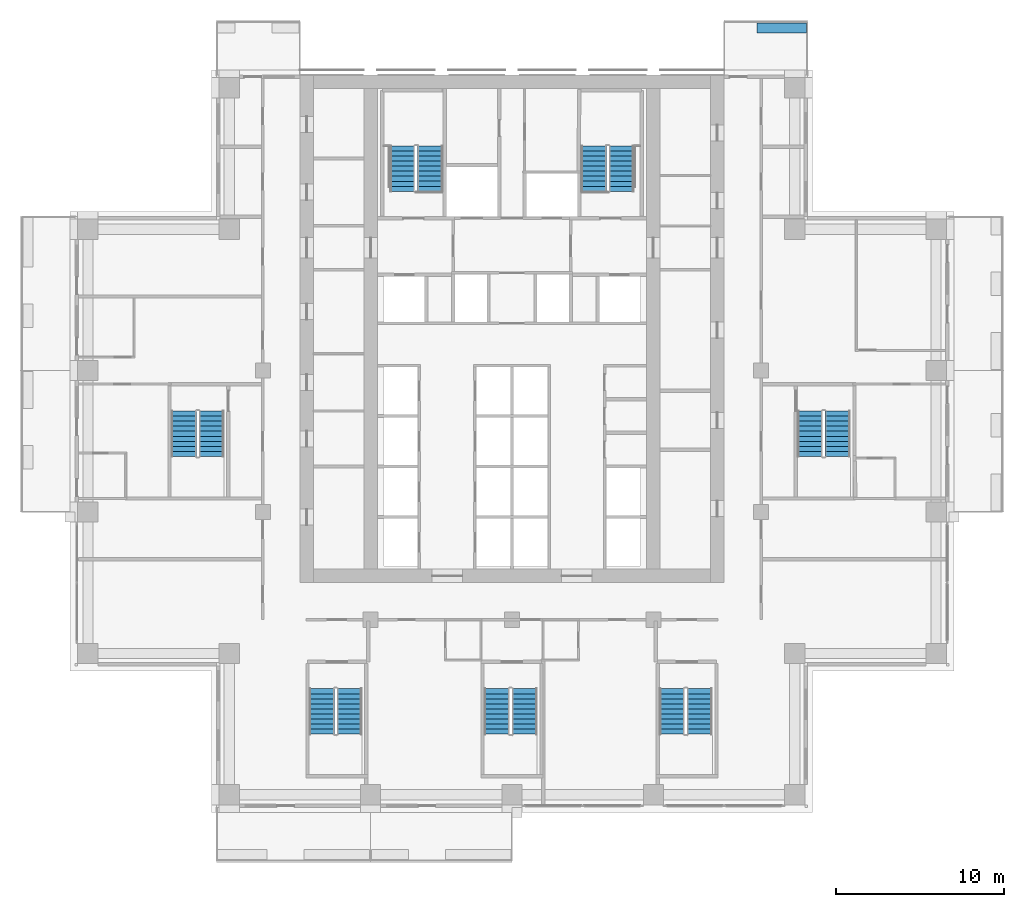
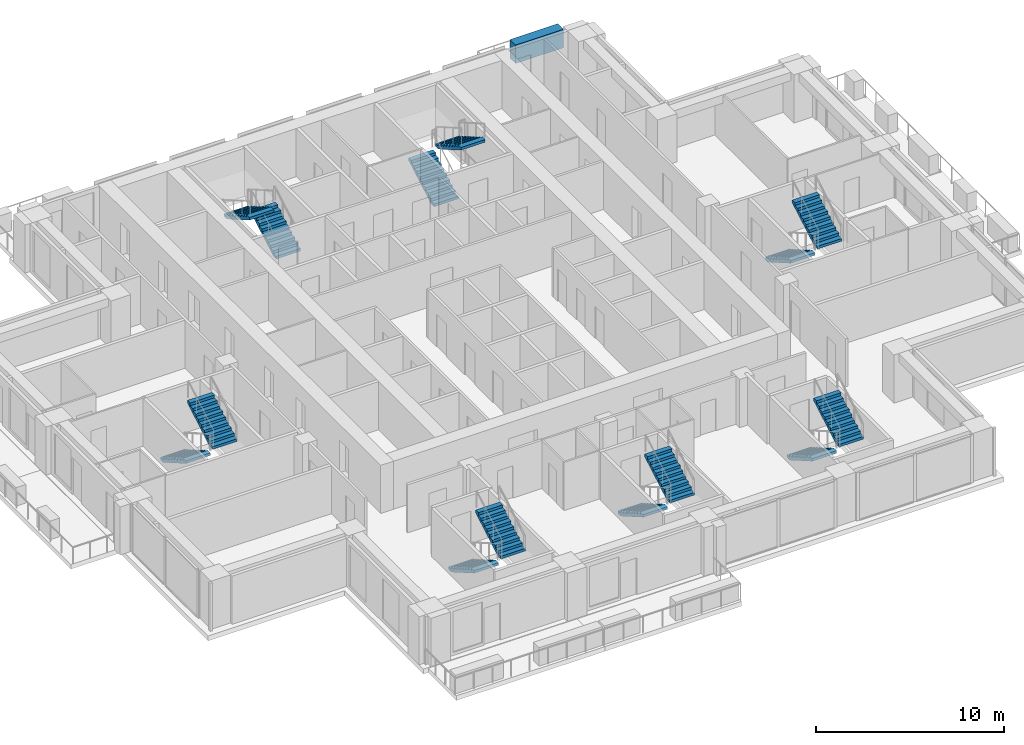
# One storey, part 12 of 16: 14 stair flights, 1 wall, 7 elements without a shape of their own.
"""IFC4 building model written with IfcOpenShell, lengths in metres."""

import ifcopenshell
import ifcopenshell.guid

model = None  # the IFC model being written
_history = None  # IfcOwnerHistory: only IFC2X3 demands one
_inside = {}  # id of a spatial element -> (the spatial element, [elements in it])
_under = {}  # id of a project, library or spatial element -> (it, [spatial elements below it])
_declared = {}  # id of a project -> (the project, [libraries it declares])
_typed = {}  # id of a type object -> (the type object, [elements of that type])
_made_of = {}  # id of a material, layer set ... -> (it, [elements and type objects made of it])


def new_model(schema):
    """Start an empty IFC model of exactly this schema.

    Asked for "IFC4X3", IfcOpenShell would pick the latest addendum, in which some entities
    have other attributes; the version numbers below select the first issue.
    IFC2X3 requires an IfcOwnerHistory on every rooted entity: one is made here for all.
    """
    global model, _history
    if schema == "IFC4X3":
        model = ifcopenshell.file(schema_version=(4, 3, 0, 0))
    else:
        model = ifcopenshell.file(schema=schema)
    _inside.clear()
    _under.clear()
    _declared.clear()
    _typed.clear()
    _made_of.clear()
    _history = None
    if model.schema == "IFC2X3":
        org = make("IfcOrganization", Name="unknown")
        user = make(
            "IfcPersonAndOrganization",
            ThePerson=make("IfcPerson", FamilyName="unknown"),
            TheOrganization=org,
        )
        app = make(
            "IfcApplication",
            ApplicationDeveloper=org,
            Version="unknown",
            ApplicationFullName="unknown",
            ApplicationIdentifier="unknown",
        )
        _history = make(
            "IfcOwnerHistory",
            OwningUser=user,
            OwningApplication=app,
            ChangeAction="ADDED",
            CreationDate=0,
        )
    return model


def make(cls, **values):
    """One entity of the class cls with the attributes given. An attribute that is None is left unset."""
    return model.create_entity(
        cls, **{name: value for name, value in values.items() if value is not None}
    )


def rooted(cls, **values):
    """An entity with a GlobalId (a new one), such as an element, a storey or a relation."""
    return make(cls, GlobalId=ifcopenshell.guid.new(), OwnerHistory=_history, **values)


def si_unit(unit_type, name, prefix=None):
    """IfcSIUnit, for example si_unit("LENGTHUNIT", "METRE", prefix="MILLI")."""
    return make("IfcSIUnit", UnitType=unit_type, Prefix=prefix, Name=name)


def assignment(units):
    """IfcUnitAssignment: the units of a project."""
    return None if units is None else make("IfcUnitAssignment", Units=units)


def point(xyz):
    """IfcCartesianPoint."""
    return None if xyz is None else make("IfcCartesianPoint", Coordinates=xyz)


def direction(xyz):
    """IfcDirection."""
    return None if xyz is None else make("IfcDirection", DirectionRatios=xyz)


def frame(location, z_axis=None, x_axis=None):
    """IfcAxis2Placement3D, a coordinate frame: its origin and axes. An axis left out is left unset."""
    return make(
        "IfcAxis2Placement3D",
        Location=point(location),
        Axis=direction(z_axis),
        RefDirection=direction(x_axis),
    )


def frame_2d(location, x_axis=None):
    """IfcAxis2Placement2D, a coordinate frame in the plane: its origin and x axis."""
    return make(
        "IfcAxis2Placement2D", Location=point(location), RefDirection=direction(x_axis)
    )


def origin():
    """The frame at (0, 0, 0) with its axes left unset."""
    return frame((0.0, 0.0, 0.0))


def place(relative_to, where):
    """IfcLocalPlacement: puts the frame where relative to a parent placement (None: the world)."""
    return make(
        "IfcLocalPlacement", PlacementRelTo=relative_to, RelativePlacement=where
    )


def context(
    kind, dimensions, precision=None, world=None, true_north=None, identifier=None
):
    """IfcGeometricRepresentationContext, for example the 3D "Model" context."""
    return make(
        "IfcGeometricRepresentationContext",
        ContextIdentifier=identifier,
        ContextType=kind,
        CoordinateSpaceDimension=dimensions,
        Precision=precision,
        WorldCoordinateSystem=world,
        TrueNorth=true_north,
    )


def subcontext(parent, identifier, kind, view, scale=None):
    """IfcGeometricRepresentationSubContext, for example "Body" below "Model"."""
    return make(
        "IfcGeometricRepresentationSubContext",
        ContextIdentifier=identifier,
        ContextType=kind,
        ParentContext=parent,
        TargetScale=scale,
        TargetView=view,
    )


def project(units=None, contexts=None):
    """IfcProject with its units and contexts."""
    return rooted(
        "IfcProject",
        Name="project",
        RepresentationContexts=contexts,
        UnitsInContext=assignment(units),
    )


def spatial(cls, under=None, at=None, **own):
    """A site, building, storey or space (cls), placed at a placement, below another one or the project."""
    s = rooted(cls, ObjectPlacement=at, **own)
    if under is not None:
        _under.setdefault(under.id(), (under, []))[1].append(s)
    return s


def polyline(points):
    """IfcPolyline through the points."""
    return make("IfcPolyline", Points=[point(p) for p in points])


def profile(cls, at=None, kind="AREA", **sizes):
    """A parametric profile (cls). Its sizes go by their IFC names, for example OverallWidth=200.0."""
    return make(cls, ProfileType=kind, Position=at, **sizes)


def rectangle(**sizes):
    """IfcRectangleProfileDef."""
    return profile("IfcRectangleProfileDef", **sizes)


def outline(outer, holes=None, kind="AREA"):
    """IfcArbitraryClosedProfileDef: a profile drawn as a closed curve; with holes, ...WithVoids."""
    if holes is None:
        return make("IfcArbitraryClosedProfileDef", ProfileType=kind, OuterCurve=outer)
    return make(
        "IfcArbitraryProfileDefWithVoids",
        ProfileType=kind,
        OuterCurve=outer,
        InnerCurves=holes,
    )


def extrude(swept, where, along, depth):
    """IfcExtrudedAreaSolid: the profile swept, set in the frame where, extruded along a direction by depth."""
    return make(
        "IfcExtrudedAreaSolid",
        SweptArea=swept,
        Position=where,
        ExtrudedDirection=direction(along),
        Depth=depth,
    )


def shape(context_of_items, identifier, shape_type, items):
    """IfcShapeRepresentation: the items that make up one representation, for example the "Body"."""
    return make(
        "IfcShapeRepresentation",
        ContextOfItems=context_of_items,
        RepresentationIdentifier=identifier,
        RepresentationType=shape_type,
        Items=items,
    )


def material(Name=None, Category=None):
    """IfcMaterial."""
    return make("IfcMaterial", Name=Name, Category=Category)


def layer(
    of_material, thickness, ventilated=None, Name=None, Category=None, Priority=None
):
    """IfcMaterialLayer: one layer of a wall or slab, of a material (None: an air gap)."""
    return make(
        "IfcMaterialLayer",
        Material=of_material,
        LayerThickness=thickness,
        IsVentilated=ventilated,
        Name=Name,
        Category=Category,
        Priority=Priority,
    )


def layer_set(layers, Name=None):
    """IfcMaterialLayerSet."""
    return make("IfcMaterialLayerSet", MaterialLayers=layers, LayerSetName=Name)


def made_of(thing, what):
    """Note that an element or type object is made of a material, layer set ...; save() writes the relation."""
    if what is not None:
        _made_of.setdefault(what.id(), (what, []))[1].append(thing)
    return thing


def type_object(cls, material=None, **own):
    """A type object (cls), such as IfcWallType, which elements share."""
    return made_of(rooted(cls, **own), material)


def element(
    cls,
    number,
    at=None,
    inside=None,
    cuts=None,
    type_object=None,
    material=None,
    context=None,
    identifier="Body",
    shape_type=None,
    held_by="IfcProductDefinitionShape",
    body=None,
    shapes=None,
    **own,
):
    """One element of the class cls, such as IfcWall. Its Tag is "e" and its number.

    at: its placement. inside: the storey or other place that contains it. cuts: it is an
    opening in that element (IfcRelVoidsElement). A single representation is given by context,
    identifier, shape_type and body (its items); several are given by shapes. held_by: the class
    of the entity that holds the representations. save() writes the other relations.
    """
    e = rooted(cls, Tag="e%d" % number, ObjectPlacement=at, **own)
    if body is not None:
        shapes = [shape(context, identifier, shape_type, body)]
    if shapes is not None:
        e.Representation = make(held_by, Representations=shapes)
    if inside is not None:
        _inside.setdefault(inside.id(), (inside, []))[1].append(e)
    if cuts is not None:
        rooted(
            "IfcRelVoidsElement", RelatingBuildingElement=cuts, RelatedOpeningElement=e
        )
    if type_object is not None:
        _typed.setdefault(type_object.id(), (type_object, []))[1].append(e)
    return made_of(e, material)


def aggregate(whole, parts):
    """IfcRelAggregates: a whole, such as a stair, and the parts it consists of."""
    return rooted("IfcRelAggregates", RelatingObject=whole, RelatedObjects=parts)


def save(model, path):
    """Write the relations noted so far, then the file.

    IfcRelAggregates (storeys below a building ...), IfcRelContainedInSpatialStructure (elements
    in a storey), IfcRelDefinesByType, IfcRelAssociatesMaterial and IfcRelDeclares: one each for
    every whole, place, type object, material and project.
    """
    for whole, parts in _under.values():
        aggregate(whole, parts)
    for where, things in _inside.values():
        rooted(
            "IfcRelContainedInSpatialStructure",
            RelatedElements=things,
            RelatingStructure=where,
        )
    for kind, things in _typed.values():
        rooted("IfcRelDefinesByType", RelatedObjects=things, RelatingType=kind)
    for what, things in _made_of.values():
        rooted("IfcRelAssociatesMaterial", RelatedObjects=things, RelatingMaterial=what)
    for by, libraries in _declared.values():
        rooted("IfcRelDeclares", RelatingContext=by, RelatedDefinitions=libraries)
    model.write(path)


model = new_model("IFC4")

# Units and contexts
model_context = context("Model", 3, precision=1e-05, world=origin(), true_north=direction((0.0, 1.0)))
body_context = subcontext(model_context, "Body", "Model", "MODEL_VIEW")
ifc_project = project(units=[si_unit("LENGTHUNIT", "METRE"), si_unit("AREAUNIT", "SQUARE_METRE"), si_unit("VOLUMEUNIT", "CUBIC_METRE"), si_unit("PLANEANGLEUNIT", "RADIAN"), si_unit("MASSUNIT", "GRAM", prefix="KILO")], contexts=[model_context])

# Site, building, storey
site_placement = place(None, origin())
site = spatial("IfcSite", under=ifc_project, at=site_placement, CompositionType="ELEMENT")
building_placement = place(site_placement, origin())
building = spatial("IfcBuilding", under=site, at=building_placement, Name="Vermilion Ogive Tower", CompositionType="ELEMENT")
storey_placement = place(building_placement, frame((0.0, 0.0, 101.10009765625)))
storey = spatial("IfcBuildingStorey", under=building, at=storey_placement, Name="L25", CompositionType="ELEMENT", Elevation=101.10009765625)

# Wall
ifc_material_1 = material(Name="Concrete B40", Category="concrete")
ifc_layer = layer(ifc_material_1, 0.60009765625)
ifc_layer_set = layer_set([ifc_layer], Name="Structural planter")
wall_type = type_object("IfcWallType", Name="Structural planter", PredefinedType="USERDEFINED", material=ifc_layer_set)
wall_placement = place(storey_placement, frame((17.489990234375, 24.550048828125, -0.0400390625), z_axis=(0.0, 0.0, 1.0), x_axis=(-1.0, 0.0, 0.0)))
element("IfcWall", 1, at=wall_placement, inside=storey, type_object=wall_type, Name="Planter N101A1", ObjectType="PLANTER", PredefinedType="USERDEFINED", context=body_context, shape_type="SweptSolid", body=[
    extrude(rectangle(XDim=2.93994140625, YDim=0.60009765625, at=frame_2d((1.469970703125, 0.0))), origin(), (0.0, 0.0, 1.0), 1.199951171875),
])

# Stair, stair flights
ifc_material_2 = material(Name="Concrete B40", Category="concrete")
stair_type = type_object("IfcStairType", Name="Exit stair 1500", PredefinedType="HALF_TURN_STAIR", material=ifc_material_2)
stair_1_placement = place(storey_placement, origin())
stair_1 = element("IfcStair", 2, at=stair_1_placement, inside=storey, type_object=stair_type, Name="L25 Exit Stair ST1", PredefinedType="HALF_TURN_STAIR")
ifc_material_3 = material(Name="Concrete B40", Category="concrete")
stair_flight_type = type_object("IfcStairFlightType", Name="Stair flight 1500", PredefinedType="STRAIGHT", material=ifc_material_3)
stair_flight_1_placement = place(storey_placement, frame((-4.85009765625, 14.85009765625, 0.0), z_axis=(0.0, 0.0, 1.0), x_axis=(0.0, 1.0, 0.0)))
stair_flight_1 = element("IfcStairFlight", 3, at=stair_flight_1_placement, type_object=stair_flight_type, Name="ST1 flight 1", NumberOfRisers=10, NumberOfTreads=9, PredefinedType="STRAIGHT", RiserHeight=0.1725, TreadLength=0.3, context=body_context, shape_type="SweptSolid", body=[
    extrude(outline(polyline([(0.0, 0.0), (0.0, 0.172607421875), (0.300048828125, 0.172607421875), (0.300048828125, 0.344970703125), (0.60009765625, 0.344970703125), (0.60009765625, 0.517578125), (0.89990234375, 0.517578125), (0.89990234375, 0.68994140625), (1.199951171875, 0.68994140625), (1.199951171875, 0.862548828125), (1.5, 0.862548828125), (1.5, 1.034912109375), (1.800048828125, 1.034912109375), (1.800048828125, 1.20751953125), (2.10009765625, 1.20751953125), (2.10009765625, 1.3798828125), (2.39990234375, 1.3798828125), (2.39990234375, 1.552490234375), (2.699951171875, 1.552490234375), (2.699951171875, 1.72509765625), (2.699951171875, 1.379638671875), (0.30078125, 0.0), (0.0, 0.0)])), frame((0.0, 0.75, 0.0), z_axis=(0.0, -1.0, 0.0), x_axis=(1.0, 0.0, 0.0)), (0.0, 0.0, 1.0), 1.5),
])
stair_flight_2_placement = place(storey_placement, frame((-6.5, 17.550048828125, 1.724853515625), z_axis=(0.0, 0.0, 1.0), x_axis=(0.0, -1.0, 0.0)))
stair_flight_2 = element("IfcStairFlight", 4, at=stair_flight_2_placement, type_object=stair_flight_type, Name="ST1 flight 2", NumberOfRisers=10, NumberOfTreads=9, PredefinedType="STRAIGHT", RiserHeight=0.1725, TreadLength=0.3, context=body_context, shape_type="SweptSolid", body=[
    extrude(outline(polyline([(0.0, 0.0), (0.0, 0.172607421875), (0.300048828125, 0.172607421875), (0.300048828125, 0.344970703125), (0.60009765625, 0.344970703125), (0.60009765625, 0.517578125), (0.89990234375, 0.517578125), (0.89990234375, 0.68994140625), (1.199951171875, 0.68994140625), (1.199951171875, 0.862548828125), (1.5, 0.862548828125), (1.5, 1.034912109375), (1.800048828125, 1.034912109375), (1.800048828125, 1.20751953125), (2.10009765625, 1.20751953125), (2.10009765625, 1.3798828125), (2.39990234375, 1.3798828125), (2.39990234375, 1.552490234375), (2.699951171875, 1.552490234375), (2.699951171875, 1.72509765625), (2.699951171875, 1.379638671875), (0.30078125, 0.0), (0.0, 0.0)])), frame((0.0, 0.75, 0.0), z_axis=(0.0, -1.0, 0.0), x_axis=(1.0, 0.0, 0.0)), (0.0, 0.0, 1.0), 1.5),
])
aggregate(stair_1, [stair_flight_1, stair_flight_2])

stair_2_placement = place(storey_placement, origin())
stair_2 = element("IfcStair", 5, at=stair_2_placement, inside=storey, type_object=stair_type, Name="L25 Exit Stair ST2", PredefinedType="HALF_TURN_STAIR")
stair_flight_3_placement = place(storey_placement, frame((4.85009765625, 14.85009765625, 0.0), z_axis=(0.0, 0.0, 1.0), x_axis=(0.0, 1.0, 0.0)))
stair_flight_3 = element("IfcStairFlight", 6, at=stair_flight_3_placement, type_object=stair_flight_type, Name="ST2 flight 1", NumberOfRisers=10, NumberOfTreads=9, PredefinedType="STRAIGHT", RiserHeight=0.1725, TreadLength=0.3, context=body_context, shape_type="SweptSolid", body=[
    extrude(outline(polyline([(0.0, 0.0), (0.0, 0.172607421875), (0.300048828125, 0.172607421875), (0.300048828125, 0.344970703125), (0.60009765625, 0.344970703125), (0.60009765625, 0.517578125), (0.89990234375, 0.517578125), (0.89990234375, 0.68994140625), (1.199951171875, 0.68994140625), (1.199951171875, 0.862548828125), (1.5, 0.862548828125), (1.5, 1.034912109375), (1.800048828125, 1.034912109375), (1.800048828125, 1.20751953125), (2.10009765625, 1.20751953125), (2.10009765625, 1.3798828125), (2.39990234375, 1.3798828125), (2.39990234375, 1.552490234375), (2.699951171875, 1.552490234375), (2.699951171875, 1.72509765625), (2.699951171875, 1.379638671875), (0.30078125, 0.0), (0.0, 0.0)])), frame((0.0, 0.75, 0.0), z_axis=(0.0, -1.0, 0.0), x_axis=(1.0, 0.0, 0.0)), (0.0, 0.0, 1.0), 1.5),
])
stair_flight_4_placement = place(storey_placement, frame((6.5, 17.550048828125, 1.724853515625), z_axis=(0.0, 0.0, 1.0), x_axis=(0.0, -1.0, 0.0)))
stair_flight_4 = element("IfcStairFlight", 7, at=stair_flight_4_placement, type_object=stair_flight_type, Name="ST2 flight 2", NumberOfRisers=10, NumberOfTreads=9, PredefinedType="STRAIGHT", RiserHeight=0.1725, TreadLength=0.3, context=body_context, shape_type="SweptSolid", body=[
    extrude(outline(polyline([(0.0, 0.0), (0.0, 0.172607421875), (0.300048828125, 0.172607421875), (0.300048828125, 0.344970703125), (0.60009765625, 0.344970703125), (0.60009765625, 0.517578125), (0.89990234375, 0.517578125), (0.89990234375, 0.68994140625), (1.199951171875, 0.68994140625), (1.199951171875, 0.862548828125), (1.5, 0.862548828125), (1.5, 1.034912109375), (1.800048828125, 1.034912109375), (1.800048828125, 1.20751953125), (2.10009765625, 1.20751953125), (2.10009765625, 1.3798828125), (2.39990234375, 1.3798828125), (2.39990234375, 1.552490234375), (2.699951171875, 1.552490234375), (2.699951171875, 1.72509765625), (2.699951171875, 1.379638671875), (0.30078125, 0.0), (0.0, 0.0)])), frame((0.0, 0.75, 0.0), z_axis=(0.0, -1.0, 0.0), x_axis=(1.0, 0.0, 0.0)), (0.0, 0.0, 1.0), 1.5),
])
aggregate(stair_2, [stair_flight_3, stair_flight_4])

stair_3_placement = place(storey_placement, origin())
stair_3 = element("IfcStair", 8, at=stair_3_placement, inside=storey, type_object=stair_type, Name="L25 Exit Stair ST3", PredefinedType="HALF_TURN_STAIR")
stair_flight_5_placement = place(storey_placement, frame((-11.300048828125, -14.699951171875, 0.0), z_axis=(0.0, 0.0, 1.0), x_axis=(0.0, -1.0, 0.0)))
stair_flight_5 = element("IfcStairFlight", 9, at=stair_flight_5_placement, type_object=stair_flight_type, Name="ST3 flight 1", NumberOfRisers=10, NumberOfTreads=9, PredefinedType="STRAIGHT", RiserHeight=0.1725, TreadLength=0.3, context=body_context, shape_type="SweptSolid", body=[
    extrude(outline(polyline([(0.0, 0.0), (0.0, 0.172607421875), (0.300048828125, 0.172607421875), (0.300048828125, 0.344970703125), (0.60009765625, 0.344970703125), (0.60009765625, 0.517578125), (0.89990234375, 0.517578125), (0.89990234375, 0.68994140625), (1.199951171875, 0.68994140625), (1.199951171875, 0.862548828125), (1.5, 0.862548828125), (1.5, 1.034912109375), (1.800048828125, 1.034912109375), (1.800048828125, 1.20751953125), (2.10009765625, 1.20751953125), (2.10009765625, 1.3798828125), (2.39990234375, 1.3798828125), (2.39990234375, 1.552490234375), (2.699951171875, 1.552490234375), (2.699951171875, 1.72509765625), (2.699951171875, 1.379638671875), (0.30078125, 0.0), (0.0, 0.0)])), frame((0.0, 0.75, 0.0), z_axis=(0.0, -1.0, 0.0), x_axis=(1.0, 0.0, 0.0)), (0.0, 0.0, 1.0), 1.5),
])
stair_flight_6_placement = place(storey_placement, frame((-9.64990234375, -17.39990234375, 1.724853515625), z_axis=(0.0, 0.0, 1.0), x_axis=(0.0, 1.0, 0.0)))
stair_flight_6 = element("IfcStairFlight", 10, at=stair_flight_6_placement, type_object=stair_flight_type, Name="ST3 flight 2", NumberOfRisers=10, NumberOfTreads=9, PredefinedType="STRAIGHT", RiserHeight=0.1725, TreadLength=0.3, context=body_context, shape_type="SweptSolid", body=[
    extrude(outline(polyline([(0.0, 0.0), (0.0, 0.172607421875), (0.300048828125, 0.172607421875), (0.300048828125, 0.344970703125), (0.60009765625, 0.344970703125), (0.60009765625, 0.517578125), (0.89990234375, 0.517578125), (0.89990234375, 0.68994140625), (1.199951171875, 0.68994140625), (1.199951171875, 0.862548828125), (1.5, 0.862548828125), (1.5, 1.034912109375), (1.800048828125, 1.034912109375), (1.800048828125, 1.20751953125), (2.10009765625, 1.20751953125), (2.10009765625, 1.3798828125), (2.39990234375, 1.3798828125), (2.39990234375, 1.552490234375), (2.699951171875, 1.552490234375), (2.699951171875, 1.72509765625), (2.699951171875, 1.379638671875), (0.30078125, 0.0), (0.0, 0.0)])), frame((0.0, 0.75, 0.0), z_axis=(0.0, -1.0, 0.0), x_axis=(1.0, 0.0, 0.0)), (0.0, 0.0, 1.0), 1.5),
])
aggregate(stair_3, [stair_flight_5, stair_flight_6])

stair_4_placement = place(storey_placement, origin())
stair_4 = element("IfcStair", 11, at=stair_4_placement, inside=storey, type_object=stair_type, Name="L25 Exit Stair ST4", PredefinedType="HALF_TURN_STAIR")
stair_flight_7_placement = place(storey_placement, frame((-0.89990234375, -14.699951171875, 0.0), z_axis=(0.0, 0.0, 1.0), x_axis=(0.0, -1.0, 0.0)))
stair_flight_7 = element("IfcStairFlight", 12, at=stair_flight_7_placement, type_object=stair_flight_type, Name="ST4 flight 1", NumberOfRisers=10, NumberOfTreads=9, PredefinedType="STRAIGHT", RiserHeight=0.1725, TreadLength=0.3, context=body_context, shape_type="SweptSolid", body=[
    extrude(outline(polyline([(0.0, 0.0), (0.0, 0.172607421875), (0.300048828125, 0.172607421875), (0.300048828125, 0.344970703125), (0.60009765625, 0.344970703125), (0.60009765625, 0.517578125), (0.89990234375, 0.517578125), (0.89990234375, 0.68994140625), (1.199951171875, 0.68994140625), (1.199951171875, 0.862548828125), (1.5, 0.862548828125), (1.5, 1.034912109375), (1.800048828125, 1.034912109375), (1.800048828125, 1.20751953125), (2.10009765625, 1.20751953125), (2.10009765625, 1.3798828125), (2.39990234375, 1.3798828125), (2.39990234375, 1.552490234375), (2.699951171875, 1.552490234375), (2.699951171875, 1.72509765625), (2.699951171875, 1.379638671875), (0.30078125, 0.0), (0.0, 0.0)])), frame((0.0, 0.75, 0.0), z_axis=(0.0, -1.0, 0.0), x_axis=(1.0, 0.0, 0.0)), (0.0, 0.0, 1.0), 1.5),
])
stair_flight_8_placement = place(storey_placement, frame((0.75, -17.39990234375, 1.724853515625), z_axis=(0.0, 0.0, 1.0), x_axis=(0.0, 1.0, 0.0)))
stair_flight_8 = element("IfcStairFlight", 13, at=stair_flight_8_placement, type_object=stair_flight_type, Name="ST4 flight 2", NumberOfRisers=10, NumberOfTreads=9, PredefinedType="STRAIGHT", RiserHeight=0.1725, TreadLength=0.3, context=body_context, shape_type="SweptSolid", body=[
    extrude(outline(polyline([(0.0, 0.0), (0.0, 0.172607421875), (0.300048828125, 0.172607421875), (0.300048828125, 0.344970703125), (0.60009765625, 0.344970703125), (0.60009765625, 0.517578125), (0.89990234375, 0.517578125), (0.89990234375, 0.68994140625), (1.199951171875, 0.68994140625), (1.199951171875, 0.862548828125), (1.5, 0.862548828125), (1.5, 1.034912109375), (1.800048828125, 1.034912109375), (1.800048828125, 1.20751953125), (2.10009765625, 1.20751953125), (2.10009765625, 1.3798828125), (2.39990234375, 1.3798828125), (2.39990234375, 1.552490234375), (2.699951171875, 1.552490234375), (2.699951171875, 1.72509765625), (2.699951171875, 1.379638671875), (0.30078125, 0.0), (0.0, 0.0)])), frame((0.0, 0.75, 0.0), z_axis=(0.0, -1.0, 0.0), x_axis=(1.0, 0.0, 0.0)), (0.0, 0.0, 1.0), 1.5),
])
aggregate(stair_4, [stair_flight_7, stair_flight_8])

stair_5_placement = place(storey_placement, origin())
stair_5 = element("IfcStair", 14, at=stair_5_placement, inside=storey, type_object=stair_type, Name="L25 Exit Stair ST5", PredefinedType="HALF_TURN_STAIR")
stair_flight_9_placement = place(storey_placement, frame((9.5, -14.699951171875, 0.0), z_axis=(0.0, 0.0, 1.0), x_axis=(0.0, -1.0, 0.0)))
stair_flight_9 = element("IfcStairFlight", 15, at=stair_flight_9_placement, type_object=stair_flight_type, Name="ST5 flight 1", NumberOfRisers=10, NumberOfTreads=9, PredefinedType="STRAIGHT", RiserHeight=0.1725, TreadLength=0.3, context=body_context, shape_type="SweptSolid", body=[
    extrude(outline(polyline([(0.0, 0.0), (0.0, 0.172607421875), (0.300048828125, 0.172607421875), (0.300048828125, 0.344970703125), (0.60009765625, 0.344970703125), (0.60009765625, 0.517578125), (0.89990234375, 0.517578125), (0.89990234375, 0.68994140625), (1.199951171875, 0.68994140625), (1.199951171875, 0.862548828125), (1.5, 0.862548828125), (1.5, 1.034912109375), (1.800048828125, 1.034912109375), (1.800048828125, 1.20751953125), (2.10009765625, 1.20751953125), (2.10009765625, 1.3798828125), (2.39990234375, 1.3798828125), (2.39990234375, 1.552490234375), (2.699951171875, 1.552490234375), (2.699951171875, 1.72509765625), (2.699951171875, 1.379638671875), (0.30078125, 0.0), (0.0, 0.0)])), frame((0.0, 0.75, 0.0), z_axis=(0.0, -1.0, 0.0), x_axis=(1.0, 0.0, 0.0)), (0.0, 0.0, 1.0), 1.5),
])
stair_flight_10_placement = place(storey_placement, frame((11.14990234375, -17.39990234375, 1.724853515625), z_axis=(0.0, 0.0, 1.0), x_axis=(0.0, 1.0, 0.0)))
stair_flight_10 = element("IfcStairFlight", 16, at=stair_flight_10_placement, type_object=stair_flight_type, Name="ST5 flight 2", NumberOfRisers=10, NumberOfTreads=9, PredefinedType="STRAIGHT", RiserHeight=0.1725, TreadLength=0.3, context=body_context, shape_type="SweptSolid", body=[
    extrude(outline(polyline([(0.0, 0.0), (0.0, 0.172607421875), (0.300048828125, 0.172607421875), (0.300048828125, 0.344970703125), (0.60009765625, 0.344970703125), (0.60009765625, 0.517578125), (0.89990234375, 0.517578125), (0.89990234375, 0.68994140625), (1.199951171875, 0.68994140625), (1.199951171875, 0.862548828125), (1.5, 0.862548828125), (1.5, 1.034912109375), (1.800048828125, 1.034912109375), (1.800048828125, 1.20751953125), (2.10009765625, 1.20751953125), (2.10009765625, 1.3798828125), (2.39990234375, 1.3798828125), (2.39990234375, 1.552490234375), (2.699951171875, 1.552490234375), (2.699951171875, 1.72509765625), (2.699951171875, 1.379638671875), (0.30078125, 0.0), (0.0, 0.0)])), frame((0.0, 0.75, 0.0), z_axis=(0.0, -1.0, 0.0), x_axis=(1.0, 0.0, 0.0)), (0.0, 0.0, 1.0), 1.5),
])
aggregate(stair_5, [stair_flight_9, stair_flight_10])

stair_6_placement = place(storey_placement, origin())
stair_6 = element("IfcStair", 17, at=stair_6_placement, inside=storey, type_object=stair_type, Name="L25 Exit Stair ST8", PredefinedType="HALF_TURN_STAIR")
stair_flight_11_placement = place(storey_placement, frame((17.699951171875, 1.800048828125, 0.0), z_axis=(0.0, 0.0, 1.0), x_axis=(0.0, -1.0, 0.0)))
stair_flight_11 = element("IfcStairFlight", 18, at=stair_flight_11_placement, type_object=stair_flight_type, Name="ST8 flight 1", NumberOfRisers=10, NumberOfTreads=9, PredefinedType="STRAIGHT", RiserHeight=0.1725, TreadLength=0.3, context=body_context, shape_type="SweptSolid", body=[
    extrude(outline(polyline([(0.0, 0.0), (0.0, 0.172607421875), (0.300048828125, 0.172607421875), (0.300048828125, 0.344970703125), (0.60009765625, 0.344970703125), (0.60009765625, 0.517578125), (0.89990234375, 0.517578125), (0.89990234375, 0.68994140625), (1.199951171875, 0.68994140625), (1.199951171875, 0.862548828125), (1.5, 0.862548828125), (1.5, 1.034912109375), (1.800048828125, 1.034912109375), (1.800048828125, 1.20751953125), (2.10009765625, 1.20751953125), (2.10009765625, 1.3798828125), (2.39990234375, 1.3798828125), (2.39990234375, 1.552490234375), (2.699951171875, 1.552490234375), (2.699951171875, 1.72509765625), (2.699951171875, 1.379638671875), (0.30078125, 0.0), (0.0, 0.0)])), frame((0.0, 0.75, 0.0), z_axis=(0.0, -1.0, 0.0), x_axis=(1.0, 0.0, 0.0)), (0.0, 0.0, 1.0), 1.5),
])
stair_flight_12_placement = place(storey_placement, frame((19.35009765625, -0.89990234375, 1.724853515625), z_axis=(0.0, 0.0, 1.0), x_axis=(0.0, 1.0, 0.0)))
stair_flight_12 = element("IfcStairFlight", 19, at=stair_flight_12_placement, type_object=stair_flight_type, Name="ST8 flight 2", NumberOfRisers=10, NumberOfTreads=9, PredefinedType="STRAIGHT", RiserHeight=0.1725, TreadLength=0.3, context=body_context, shape_type="SweptSolid", body=[
    extrude(outline(polyline([(0.0, 0.0), (0.0, 0.172607421875), (0.300048828125, 0.172607421875), (0.300048828125, 0.344970703125), (0.60009765625, 0.344970703125), (0.60009765625, 0.517578125), (0.89990234375, 0.517578125), (0.89990234375, 0.68994140625), (1.199951171875, 0.68994140625), (1.199951171875, 0.862548828125), (1.5, 0.862548828125), (1.5, 1.034912109375), (1.800048828125, 1.034912109375), (1.800048828125, 1.20751953125), (2.10009765625, 1.20751953125), (2.10009765625, 1.3798828125), (2.39990234375, 1.3798828125), (2.39990234375, 1.552490234375), (2.699951171875, 1.552490234375), (2.699951171875, 1.72509765625), (2.699951171875, 1.379638671875), (0.30078125, 0.0), (0.0, 0.0)])), frame((0.0, 0.75, 0.0), z_axis=(0.0, -1.0, 0.0), x_axis=(1.0, 0.0, 0.0)), (0.0, 0.0, 1.0), 1.5),
])
aggregate(stair_6, [stair_flight_11, stair_flight_12])

stair_7_placement = place(storey_placement, origin())
stair_7 = element("IfcStair", 20, at=stair_7_placement, inside=storey, type_object=stair_type, Name="L25 Exit Stair ST9", PredefinedType="HALF_TURN_STAIR")
stair_flight_13_placement = place(storey_placement, frame((-19.5, 1.800048828125, 0.0), z_axis=(0.0, 0.0, 1.0), x_axis=(0.0, -1.0, 0.0)))
stair_flight_13 = element("IfcStairFlight", 21, at=stair_flight_13_placement, type_object=stair_flight_type, Name="ST9 flight 1", NumberOfRisers=10, NumberOfTreads=9, PredefinedType="STRAIGHT", RiserHeight=0.1725, TreadLength=0.3, context=body_context, shape_type="SweptSolid", body=[
    extrude(outline(polyline([(0.0, 0.0), (0.0, 0.172607421875), (0.300048828125, 0.172607421875), (0.300048828125, 0.344970703125), (0.60009765625, 0.344970703125), (0.60009765625, 0.517578125), (0.89990234375, 0.517578125), (0.89990234375, 0.68994140625), (1.199951171875, 0.68994140625), (1.199951171875, 0.862548828125), (1.5, 0.862548828125), (1.5, 1.034912109375), (1.800048828125, 1.034912109375), (1.800048828125, 1.20751953125), (2.10009765625, 1.20751953125), (2.10009765625, 1.3798828125), (2.39990234375, 1.3798828125), (2.39990234375, 1.552490234375), (2.699951171875, 1.552490234375), (2.699951171875, 1.72509765625), (2.699951171875, 1.379638671875), (0.30078125, 0.0), (0.0, 0.0)])), frame((0.0, 0.75, 0.0), z_axis=(0.0, -1.0, 0.0), x_axis=(1.0, 0.0, 0.0)), (0.0, 0.0, 1.0), 1.5),
])
stair_flight_14_placement = place(storey_placement, frame((-17.85009765625, -0.89990234375, 1.724853515625), z_axis=(0.0, 0.0, 1.0), x_axis=(0.0, 1.0, 0.0)))
stair_flight_14 = element("IfcStairFlight", 22, at=stair_flight_14_placement, type_object=stair_flight_type, Name="ST9 flight 2", NumberOfRisers=10, NumberOfTreads=9, PredefinedType="STRAIGHT", RiserHeight=0.1725, TreadLength=0.3, context=body_context, shape_type="SweptSolid", body=[
    extrude(outline(polyline([(0.0, 0.0), (0.0, 0.172607421875), (0.300048828125, 0.172607421875), (0.300048828125, 0.344970703125), (0.60009765625, 0.344970703125), (0.60009765625, 0.517578125), (0.89990234375, 0.517578125), (0.89990234375, 0.68994140625), (1.199951171875, 0.68994140625), (1.199951171875, 0.862548828125), (1.5, 0.862548828125), (1.5, 1.034912109375), (1.800048828125, 1.034912109375), (1.800048828125, 1.20751953125), (2.10009765625, 1.20751953125), (2.10009765625, 1.3798828125), (2.39990234375, 1.3798828125), (2.39990234375, 1.552490234375), (2.699951171875, 1.552490234375), (2.699951171875, 1.72509765625), (2.699951171875, 1.379638671875), (0.30078125, 0.0), (0.0, 0.0)])), frame((0.0, 0.75, 0.0), z_axis=(0.0, -1.0, 0.0), x_axis=(1.0, 0.0, 0.0)), (0.0, 0.0, 1.0), 1.5),
])
aggregate(stair_7, [stair_flight_13, stair_flight_14])

save(model, "model.ifc")
